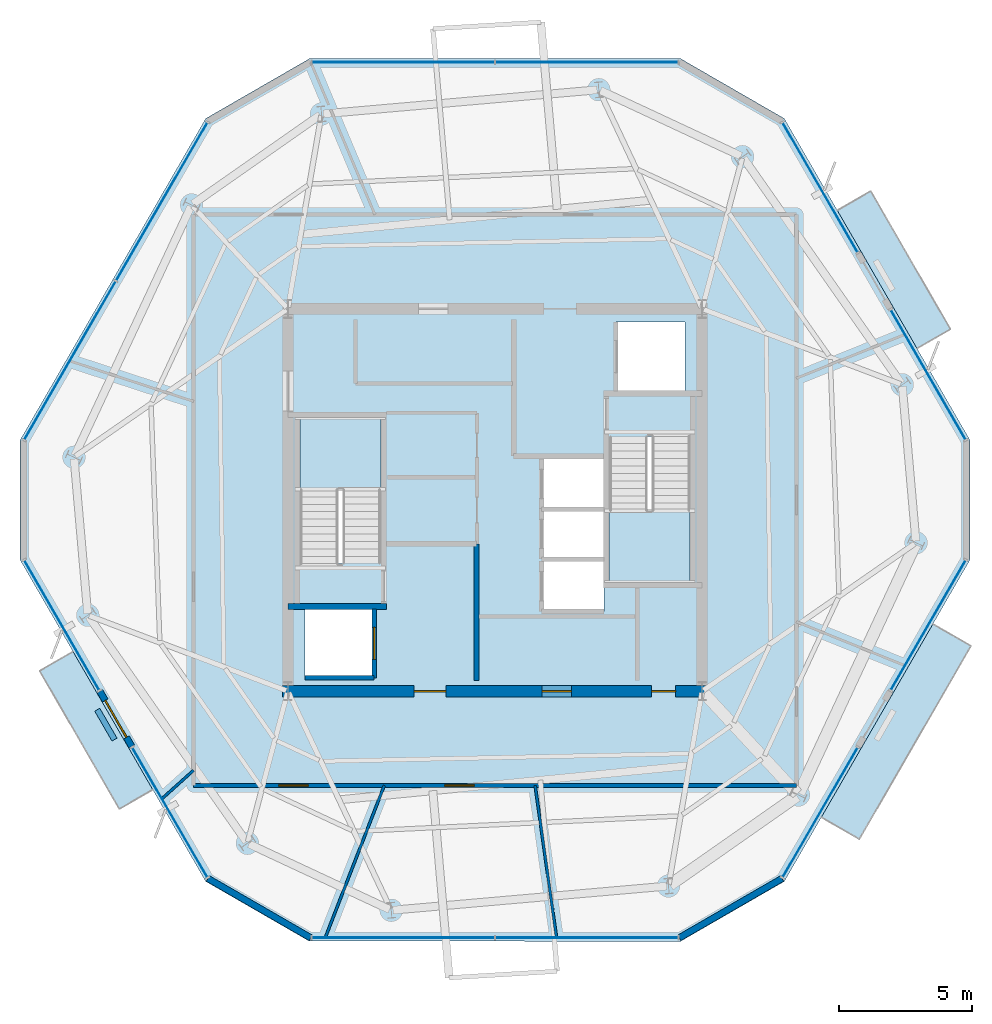
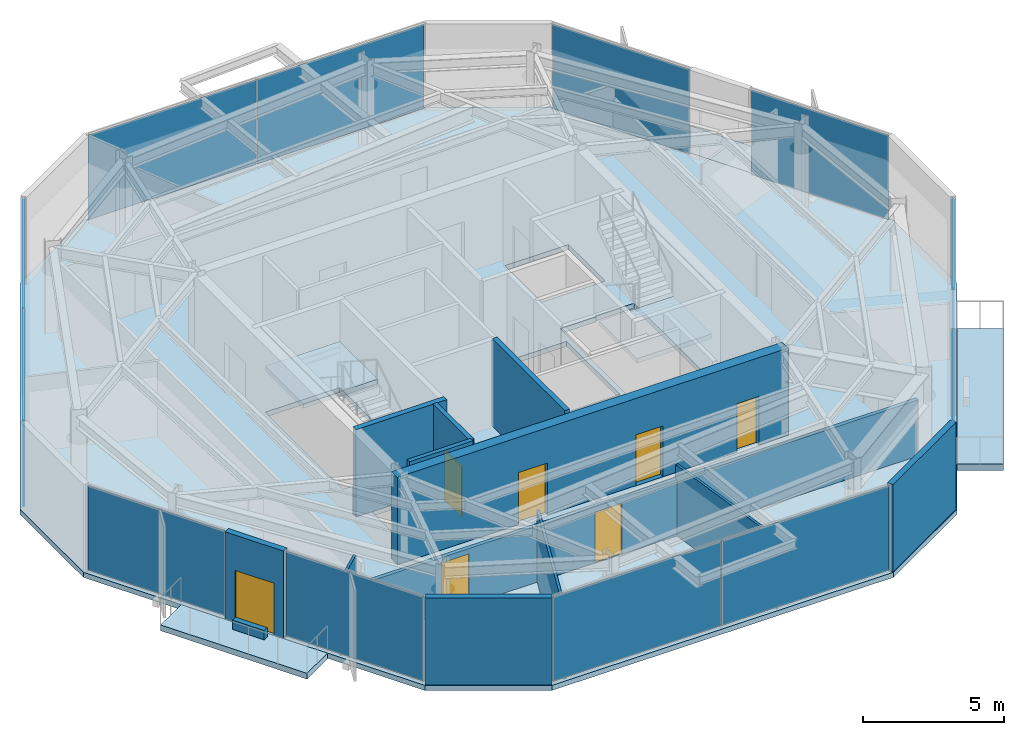
# One storey, part 5 of 11: 13 walls, 12 plates, 7 doors, 6 slabs, 7 openings, 11 elements without a shape of their own.
"""IFC4 building model written with IfcOpenShell, lengths in metres."""

from ifc_helpers import new_model, si_unit, direction, frame, frame_2d, origin, origin_2d, place, context, subcontext, project, spatial, polyline, rectangle, outline, extrude, material, layer, layer_set, type_object, element, fill, aggregate, save


model = new_model("IFC4")

# Units and contexts
model_context = context("Model", 3, precision=1e-05, world=origin(), true_north=direction((0.0, 1.0)))
body_context = subcontext(model_context, "Body", "Model", "MODEL_VIEW")
ifc_project = project(units=[si_unit("LENGTHUNIT", "METRE"), si_unit("AREAUNIT", "SQUARE_METRE"), si_unit("VOLUMEUNIT", "CUBIC_METRE"), si_unit("PLANEANGLEUNIT", "RADIAN"), si_unit("MASSUNIT", "GRAM", prefix="KILO")], contexts=[model_context])

# Site, building, storey
site_placement = place(None, origin())
site = spatial("IfcSite", under=ifc_project, at=site_placement, CompositionType="ELEMENT")
building_placement = place(site_placement, origin())
building = spatial("IfcBuilding", under=site, at=building_placement, Name="Kranzbogen Civic Tower", CompositionType="ELEMENT")
storey_placement = place(building_placement, frame((0.0, 0.0, 266.199951171875)))
storey = spatial("IfcBuildingStorey", under=building, at=storey_placement, Name="L64", CompositionType="ELEMENT", Elevation=266.199951171875)

# Slab
ifc_material_1 = material(Name="Concrete C40/50", Category="concrete")
ifc_layer_1 = layer(ifc_material_1, 0.219970703125, Name="Concrete C40/50")
ifc_layer_set_1 = layer_set([ifc_layer_1], Name="Concrete C40/50")
slab_type_1 = type_object("IfcSlabType", Name="Composite Upper Tower Floor Slab 220 mm", PredefinedType="FLOOR", material=ifc_layer_set_1)
slab_1_placement = place(storey_placement, frame((0.0, 0.0, -0.219970703125)))
element("IfcSlab", 1, at=slab_1_placement, inside=storey, type_object=slab_type_1, Name="L64 tower floor slab", PredefinedType="FLOOR", context=body_context, shape_type="SweptSolid", body=[
    extrude(outline(polyline([(31.9951171875, 41.616943359375), (18.0048828125, 41.616943359375), (14.10693359375, 39.366943359375), (7.112060546875, 27.25), (7.112060546875, 22.75), (14.10693359375, 10.633056640625), (18.0048828125, 8.384033203125), (31.9951171875, 8.383056640625), (35.89306640625, 10.633056640625), (42.887939453125, 22.75), (42.887939453125, 27.25), (35.89306640625, 39.366943359375), (31.9951171875, 41.616943359375)]), holes=[polyline([(17.85009765625, 20.89990234375), (20.449951171875, 20.89990234375), (20.449951171875, 18.300048828125), (17.85009765625, 18.300048828125), (17.85009765625, 20.89990234375)]), polyline([(29.10009765625, 22.699951171875), (29.10009765625, 20.800048828125), (26.75, 20.800048828125), (26.75, 22.699951171875), (29.10009765625, 22.699951171875)]), polyline([(29.10009765625, 24.64990234375), (29.10009765625, 22.77490234375), (26.75, 22.77490234375), (26.75, 24.64990234375), (26.75, 24.675048828125), (26.75, 26.550048828125), (29.10009765625, 26.550048828125), (29.10009765625, 24.675048828125), (29.10009765625, 24.64990234375)]), polyline([(29.300048828125, 27.340087890625), (30.75, 27.340087890625), (30.75, 27.39990234375), (32.35009765625, 27.39990234375), (32.35009765625, 21.89990234375), (29.300048828125, 21.89990234375), (29.300048828125, 27.340087890625)]), polyline([(20.699951171875, 22.659912109375), (19.25, 22.659912109375), (19.25, 22.60009765625), (17.64990234375, 22.60009765625), (17.64990234375, 28.10009765625), (20.699951171875, 28.10009765625), (20.699951171875, 22.659912109375)]), polyline([(32.14990234375, 31.699951171875), (32.14990234375, 29.10009765625), (29.550048828125, 29.10009765625), (29.550048828125, 31.699951171875), (32.14990234375, 31.699951171875)])]), origin(), (0.0, 0.0, 1.0), 0.219970703125),
])

# Curtain wall, plates
ifc_material_2 = material(Name="Pale Anodised Aluminium", Category="aluminium")
ifc_layer_2 = layer(ifc_material_2, 0.219970703125, Name="Pale Anodised Aluminium")
ifc_layer_set_2 = layer_set([ifc_layer_2], Name="Pale Anodised Aluminium")
curtain_wall_type = type_object("IfcCurtainWallType", Name="Zone 4 Stick Curtain Wall System CW-05", PredefinedType="USERDEFINED", material=ifc_layer_set_2)
curtain_wall_1_placement = place(storey_placement, origin())
curtain_wall_1 = element("IfcCurtainWall", 2, at=curtain_wall_1_placement, inside=storey, type_object=curtain_wall_type, Name="L64 curtain wall CW-L64-F1", ObjectType="STICK CURTAIN WALL", PredefinedType="USERDEFINED")
ifc_material_3 = material(Name="Low-E Triple Glazing Glass", Category="glass")
ifc_layer_3 = layer(ifc_material_3, 0.028076171875, Name="Low-E Triple Glazing Glass")
ifc_layer_set_3 = layer_set([ifc_layer_3], Name="Low-E Triple Glazing Glass")
plate_type = type_object("IfcPlateType", Name="Insulated Low-E Glazing Panel 28 mm", PredefinedType="CURTAIN_PANEL", material=ifc_layer_set_3)
plate_1_placement = place(storey_placement, frame((28.45556640625, 41.488037109375, 0.06005859375), z_axis=(0.0, 0.0, 1.0), x_axis=(-1.0, 0.0, 0.0)))
plate_1 = element("IfcPlate", 3, at=plate_1_placement, type_object=plate_type, Name="CW-05 panel 1.1", PredefinedType="CURTAIN_PANEL", context=body_context, shape_type="SweptSolid", body=[
    extrude(rectangle(XDim=6.85107421875, YDim=0.028076171875, at=origin_2d()), origin(), (0.0, 0.0, 1.0), 3.659912109375),
])
plate_2_placement = place(storey_placement, frame((21.54443359375, 41.488037109375, 0.06005859375), z_axis=(0.0, 0.0, 1.0), x_axis=(-1.0, 0.0, 0.0)))
plate_2 = element("IfcPlate", 4, at=plate_2_placement, type_object=plate_type, Name="CW-05 panel 2.1", PredefinedType="CURTAIN_PANEL", context=body_context, shape_type="SweptSolid", body=[
    extrude(rectangle(XDim=6.85107421875, YDim=0.028076171875, at=origin_2d()), origin(), (0.0, 0.0, 1.0), 3.659912109375),
])
aggregate(curtain_wall_1, [plate_1, plate_2])

curtain_wall_2_placement = place(storey_placement, origin())
curtain_wall_2 = element("IfcCurtainWall", 5, at=curtain_wall_2_placement, inside=storey, type_object=curtain_wall_type, Name="L64 curtain wall CW-L64-F2", ObjectType="STICK CURTAIN WALL", PredefinedType="USERDEFINED")
plate_3_placement = place(storey_placement, frame((12.44921875, 36.236572265625, 0.06005859375), z_axis=(0.0, 0.0, 1.0), x_axis=(-0.500005136036, -0.866022438472, 0.0)))
plate_3 = element("IfcPlate", 6, at=plate_3_placement, type_object=plate_type, Name="CW-05 panel 1.1", PredefinedType="CURTAIN_PANEL", context=body_context, shape_type="SweptSolid", body=[
    extrude(rectangle(XDim=6.850830078125, YDim=0.028076171875, at=origin_2d()), origin(), (0.0, 0.0, 1.0), 3.659912109375),
])
plate_4_placement = place(storey_placement, frame((8.99365234375, 30.25146484375, 0.06005859375), z_axis=(0.0, 0.0, 1.0), x_axis=(-0.500005136036, -0.866022438472, 0.0)))
plate_4 = element("IfcPlate", 7, at=plate_4_placement, type_object=plate_type, Name="CW-05 panel 2.1", PredefinedType="CURTAIN_PANEL", context=body_context, shape_type="SweptSolid", body=[
    extrude(rectangle(XDim=6.850830078125, YDim=0.028076171875, at=origin_2d()), origin(), (0.0, 0.0, 1.0), 3.659912109375),
])
aggregate(curtain_wall_2, [plate_3, plate_4])

# Curtain wall, plate
curtain_wall_3_placement = place(storey_placement, origin())
curtain_wall_3 = element("IfcCurtainWall", 8, at=curtain_wall_3_placement, inside=storey, type_object=curtain_wall_type, Name="L64 curtain wall CW-L64-F3-S1", ObjectType="STICK CURTAIN WALL", PredefinedType="USERDEFINED")
plate_5_placement = place(storey_placement, frame((8.68603515625, 20.281494140625, 0.06005859375), z_axis=(0.0, 0.0, 1.0), x_axis=(0.49999893013, -0.866026021473, 0.0)))
plate_5 = element("IfcPlate", 9, at=plate_5_placement, type_object=plate_type, Name="CW-05 panel 1.1", PredefinedType="CURTAIN_PANEL", context=body_context, shape_type="SweptSolid", body=[
    extrude(rectangle(XDim=5.6201171875, YDim=0.028076171875, at=origin_2d()), origin(), (0.0, 0.0, 1.0), 3.659912109375),
])
aggregate(curtain_wall_3, [plate_5])

curtain_wall_4_placement = place(storey_placement, origin())
curtain_wall_4 = element("IfcCurtainWall", 10, at=curtain_wall_4_placement, inside=storey, type_object=curtain_wall_type, Name="L64 curtain wall CW-L64-F3-S2", ObjectType="STICK CURTAIN WALL", PredefinedType="USERDEFINED")
plate_6_placement = place(storey_placement, frame((12.756591796875, 13.23095703125, 0.06005859375), z_axis=(0.0, 0.0, 1.0), x_axis=(0.500054140405, -0.865994143551, 0.0)))
plate_6 = element("IfcPlate", 11, at=plate_6_placement, type_object=plate_type, Name="CW-05 panel 1.1", PredefinedType="CURTAIN_PANEL", context=body_context, shape_type="SweptSolid", body=[
    extrude(rectangle(XDim=5.621337890625, YDim=0.028076171875, at=origin_2d()), origin(), (0.0, 0.0, 1.0), 3.659912109375),
])
aggregate(curtain_wall_4, [plate_6])

# Curtain wall, plates
curtain_wall_5_placement = place(storey_placement, origin())
curtain_wall_5 = element("IfcCurtainWall", 12, at=curtain_wall_5_placement, inside=storey, type_object=curtain_wall_type, Name="L64 curtain wall CW-L64-F4", ObjectType="STICK CURTAIN WALL", PredefinedType="USERDEFINED")
plate_7_placement = place(storey_placement, frame((21.54443359375, 8.5126953125, 0.06005859375), z_axis=(0.0, 0.0, 1.0), x_axis=(0.999999997405, -7.2035725e-05, 0.0)))
plate_7 = element("IfcPlate", 13, at=plate_7_placement, type_object=plate_type, Name="CW-05 panel 1.1", PredefinedType="CURTAIN_PANEL", context=body_context, shape_type="SweptSolid", body=[
    extrude(rectangle(XDim=6.85107421875, YDim=0.028076171875, at=origin_2d()), origin(), (0.0, 0.0, 1.0), 3.659912109375),
])
plate_8_placement = place(storey_placement, frame((28.45556640625, 8.51220703125, 0.06005859375), z_axis=(0.0, 0.0, 1.0), x_axis=(0.999999997405, -7.2035725e-05, 0.0)))
plate_8 = element("IfcPlate", 14, at=plate_8_placement, type_object=plate_type, Name="CW-05 panel 2.1", PredefinedType="CURTAIN_PANEL", context=body_context, shape_type="SweptSolid", body=[
    extrude(rectangle(XDim=6.85107421875, YDim=0.028076171875, at=origin_2d()), origin(), (0.0, 0.0, 1.0), 3.659912109375),
])
aggregate(curtain_wall_5, [plate_7, plate_8])

# Curtain wall, plate
curtain_wall_6_placement = place(storey_placement, origin())
curtain_wall_6 = element("IfcCurtainWall", 15, at=curtain_wall_6_placement, inside=storey, type_object=curtain_wall_type, Name="L64 curtain wall CW-L64-F5-S1", ObjectType="STICK CURTAIN WALL", PredefinedType="USERDEFINED")
plate_9_placement = place(storey_placement, frame((37.243408203125, 13.23095703125, 0.06005859375), z_axis=(0.0, 0.0, 1.0), x_axis=(0.500054140405, 0.865994143551, 0.0)))
plate_9 = element("IfcPlate", 16, at=plate_9_placement, type_object=plate_type, Name="CW-05 panel 1.1", PredefinedType="CURTAIN_PANEL", context=body_context, shape_type="SweptSolid", body=[
    extrude(rectangle(XDim=5.621337890625, YDim=0.028076171875, at=origin_2d()), origin(), (0.0, 0.0, 1.0), 3.659912109375),
])
aggregate(curtain_wall_6, [plate_9])

curtain_wall_7_placement = place(storey_placement, origin())
curtain_wall_7 = element("IfcCurtainWall", 17, at=curtain_wall_7_placement, inside=storey, type_object=curtain_wall_type, Name="L64 curtain wall CW-L64-F5-S2", ObjectType="STICK CURTAIN WALL", PredefinedType="USERDEFINED")
plate_10_placement = place(storey_placement, frame((41.31396484375, 20.281494140625, 0.06005859375), z_axis=(0.0, 0.0, 1.0), x_axis=(0.49999893013, 0.866026021473, 0.0)))
plate_10 = element("IfcPlate", 18, at=plate_10_placement, type_object=plate_type, Name="CW-05 panel 1.1", PredefinedType="CURTAIN_PANEL", context=body_context, shape_type="SweptSolid", body=[
    extrude(rectangle(XDim=5.6201171875, YDim=0.028076171875, at=origin_2d()), origin(), (0.0, 0.0, 1.0), 3.659912109375),
])
aggregate(curtain_wall_7, [plate_10])

curtain_wall_8_placement = place(storey_placement, origin())
curtain_wall_8 = element("IfcCurtainWall", 19, at=curtain_wall_8_placement, inside=storey, type_object=curtain_wall_type, Name="L64 curtain wall CW-L64-F6-S1", ObjectType="STICK CURTAIN WALL", PredefinedType="USERDEFINED")
plate_11_placement = place(storey_placement, frame((41.31396484375, 29.718505859375, 0.06005859375), z_axis=(0.0, 0.0, 1.0), x_axis=(-0.49999893013, 0.866026021473, 0.0)))
plate_11 = element("IfcPlate", 20, at=plate_11_placement, type_object=plate_type, Name="CW-05 panel 1.1", PredefinedType="CURTAIN_PANEL", context=body_context, shape_type="SweptSolid", body=[
    extrude(rectangle(XDim=5.6201171875, YDim=0.028076171875, at=origin_2d()), origin(), (0.0, 0.0, 1.0), 3.659912109375),
])
aggregate(curtain_wall_8, [plate_11])

curtain_wall_9_placement = place(storey_placement, origin())
curtain_wall_9 = element("IfcCurtainWall", 21, at=curtain_wall_9_placement, inside=storey, type_object=curtain_wall_type, Name="L64 curtain wall CW-L64-F6-S2", ObjectType="STICK CURTAIN WALL", PredefinedType="USERDEFINED")
plate_12_placement = place(storey_placement, frame((37.243408203125, 36.76904296875, 0.06005859375), z_axis=(0.0, 0.0, 1.0), x_axis=(-0.500054140405, 0.865994143551, 0.0)))
plate_12 = element("IfcPlate", 22, at=plate_12_placement, type_object=plate_type, Name="CW-05 panel 1.1", PredefinedType="CURTAIN_PANEL", context=body_context, shape_type="SweptSolid", body=[
    extrude(rectangle(XDim=5.621337890625, YDim=0.028076171875, at=origin_2d()), origin(), (0.0, 0.0, 1.0), 3.659912109375),
])
aggregate(curtain_wall_9, [plate_12])

# Stair, slab
ifc_material_4 = material(Name="Precast concrete C40/50", Category="concrete")
stair_type_1 = type_object("IfcStairType", Name="Tower Core Pressurized Dogleg Stair 1450", PredefinedType="HALF_TURN_STAIR", material=ifc_material_4)
stair_1_placement = place(storey_placement, origin())
stair_1 = element("IfcStair", 23, at=stair_1_placement, inside=storey, type_object=stair_type_1, Name="L64 Tower Core Pressurized Stair 1", PredefinedType="HALF_TURN_STAIR")
ifc_layer_4 = layer(ifc_material_4, 0.199951171875, Name="Precast concrete C40/50")
ifc_layer_set_4 = layer_set([ifc_layer_4], Name="Precast concrete C40/50")
slab_type_2 = type_object("IfcSlabType", Name="Precast Concrete Stair Landing Slab 200 mm", PredefinedType="LANDING", material=ifc_layer_set_4)
slab_2_placement = place(storey_placement, frame((0.0, 0.0, 1.800048828125)))
slab_2 = element("IfcSlab", 24, at=slab_2_placement, type_object=slab_type_2, Name="ST-T1 landing 1", PredefinedType="LANDING", context=body_context, shape_type="SweptSolid", body=[
    extrude(outline(polyline([(20.699951171875, 25.39990234375), (20.699951171875, 28.10009765625), (17.64990234375, 28.10009765625), (17.64990234375, 25.39990234375), (20.699951171875, 25.39990234375)])), origin(), (0.0, 0.0, 1.0), 0.199951171875),
])
aggregate(stair_1, [slab_2])

stair_type_2 = type_object("IfcStairType", Name="Tower Core Secondary Dogleg Stair 1450", PredefinedType="HALF_TURN_STAIR", material=ifc_material_4)
stair_2_placement = place(storey_placement, origin())
stair_2 = element("IfcStair", 25, at=stair_2_placement, inside=storey, type_object=stair_type_2, Name="L64 Tower Core Pressurized Stair 2", PredefinedType="HALF_TURN_STAIR")
slab_3_placement = place(storey_placement, frame((0.0, 0.0, 1.800048828125)))
slab_3 = element("IfcSlab", 26, at=slab_3_placement, type_object=slab_type_2, Name="ST-T2 landing 1", PredefinedType="LANDING", context=body_context, shape_type="SweptSolid", body=[
    extrude(outline(polyline([(29.300048828125, 24.60009765625), (29.300048828125, 21.89990234375), (32.35009765625, 21.89990234375), (32.35009765625, 24.60009765625), (29.300048828125, 24.60009765625)])), origin(), (0.0, 0.0, 1.0), 0.199951171875),
])
aggregate(stair_2, [slab_3])

# Slabs
ifc_layer_5 = layer(ifc_material_1, 0.280029296875, Name="Concrete C40/50")
ifc_layer_set_5 = layer_set([ifc_layer_5], Name="Concrete C40/50")
slab_type_3 = type_object("IfcSlabType", Name="Spiral Terrace Cantilevered Slab 280 mm", PredefinedType="FLOOR", material=ifc_layer_set_5)
slab_4_placement = place(storey_placement, frame((0.0, 0.0, -0.280029296875)))
element("IfcSlab", 27, at=slab_4_placement, inside=storey, type_object=slab_type_3, Name="L64 cantilevered spiral terrace L64-ST", PredefinedType="FLOOR", context=body_context, shape_type="SweptSolid", body=[
    extrude(outline(polyline([(37.2900390625, 13.053955078125), (41.489990234375, 20.3291015625), (42.9189453125, 19.50390625), (38.718994140625, 12.22900390625), (37.2900390625, 13.053955078125)])), origin(), (0.0, 0.0, 1.0), 0.280029296875),
])
ifc_layer_6 = layer(ifc_material_1, 0.25, Name="Concrete C40/50")
ifc_layer_set_6 = layer_set([ifc_layer_6], Name="Concrete C40/50")
slab_type_4 = type_object("IfcSlabType", Name="Tree Balcony Cantilevered Slab 250 mm", PredefinedType="FLOOR", material=ifc_layer_set_6)
slab_5_placement = place(storey_placement, frame((0.0, 0.0, -0.25)))
element("IfcSlab", 28, at=slab_5_placement, inside=storey, type_object=slab_type_4, Name="L64 cantilevered tree balcony L64-TB1", PredefinedType="FLOOR", context=body_context, shape_type="SweptSolid", body=[
    extrude(outline(polyline([(9.110107421875, 19.2900390625), (12.110107421875, 14.093994140625), (10.85400390625, 13.368896484375), (7.85400390625, 18.56494140625), (9.110107421875, 19.2900390625)])), origin(), (0.0, 0.0, 1.0), 0.25),
])
slab_6_placement = place(storey_placement, frame((0.0, 0.0, -0.25)))
element("IfcSlab", 29, at=slab_6_placement, inside=storey, type_object=slab_type_4, Name="L64 cantilevered tree balcony L64-TB2", PredefinedType="FLOOR", context=body_context, shape_type="SweptSolid", body=[
    extrude(outline(polyline([(40.889892578125, 30.7099609375), (37.889892578125, 35.906005859375), (39.14599609375, 36.631103515625), (42.14599609375, 31.43505859375), (40.889892578125, 30.7099609375)])), origin(), (0.0, 0.0, 1.0), 0.25),
])

# Wall, openings, doors
ifc_material_5 = material(Name="Double-Stud Acoustic Gypsum Partition")
ifc_layer_7 = layer(ifc_material_5, 0.14990234375, Name="Double-Stud Acoustic Gypsum Partition")
ifc_layer_set_7 = layer_set([ifc_layer_7], Name="Double-Stud Acoustic Gypsum Partition")
wall_type_1 = type_object("IfcWallType", Name="Acoustic Corridor and Clinical Partition 150 mm", PredefinedType="PARTITIONING", material=ifc_layer_set_7)
wall_1_placement = place(storey_placement, frame((36.35009765625, 14.25, 0.0), z_axis=(0.0, 0.0, 1.0), x_axis=(-1.0, 0.0, 0.0)))
wall_1 = element("IfcWall", 30, at=wall_1_placement, inside=storey, type_object=wall_type_1, Name="L64 corridor partition 03", PredefinedType="PARTITIONING", context=body_context, shape_type="SweptSolid", body=[
    extrude(rectangle(XDim=22.7001953125, YDim=0.14990234375, at=frame_2d((11.35009765625, 0.0))), origin(), (0.0, 0.0, 1.0), 2.429931640625),
])
opening_1_placement = place(wall_1_placement, frame((12.135986328125, 0.0, 0.0)))
opening_1 = element("IfcOpeningElement", 31, at=opening_1_placement, cuts=wall_1, Name="Opening D-COR60", PredefinedType="OPENING", context=body_context, shape_type="SweptSolid", body=[
    extrude(rectangle(XDim=1.10009765625, YDim=2.199951171875, at=frame_2d((0.550048828125, 1.10009765625))), frame((0.0, 0.0849609375, 0.0), z_axis=(0.0, -1.0, 0.0), x_axis=(1.0, 0.0, 0.0)), (0.0, 0.0, 1.0), 0.169921875),
])
opening_2_placement = place(wall_1_placement, frame((18.39111328125, 0.0, 0.0)))
opening_2 = element("IfcOpeningElement", 32, at=opening_2_placement, cuts=wall_1, Name="Opening D-COR60", PredefinedType="OPENING", context=body_context, shape_type="SweptSolid", body=[
    extrude(rectangle(XDim=1.10009765625, YDim=2.199951171875, at=frame_2d((0.550048828125, 1.10009765625))), frame((0.0, 0.0849609375, 0.0), z_axis=(0.0, -1.0, 0.0), x_axis=(1.0, 0.0, 0.0)), (0.0, 0.0, 1.0), 0.169921875),
])
ifc_material_6 = material(Name="Oak Timber and Fire Core", Category="wood")
door_type_1 = type_object("IfcDoorType", Name="Corridor Acoustic Fire Door 1100x2200", OperationType="NOTDEFINED", PredefinedType="DOOR", material=ifc_material_6)
door_1_placement = place(opening_1_placement, origin())
door_1 = element("IfcDoor", 33, at=door_1_placement, inside=storey, type_object=door_type_1, Name="L64 Central Mail Post Room door", OperationType="SINGLE_SWING_LEFT", OverallHeight=2.199951171875, OverallWidth=1.10009765625, PredefinedType="DOOR", context=body_context, shape_type="SweptSolid", body=[
    extrude(rectangle(XDim=1.10009765625, YDim=2.199951171875, at=frame_2d((0.550048828125, 1.10009765625))), frame((0.0, 0.02490234375, 0.0), z_axis=(0.0, -1.0, 0.0), x_axis=(1.0, 0.0, 0.0)), (0.0, 0.0, 1.0), 0.050048828125),
])
fill(opening_1, door_1)
door_2_placement = place(opening_2_placement, origin())
door_2 = element("IfcDoor", 34, at=door_2_placement, inside=storey, type_object=door_type_1, Name="L64 Duty Crew Control Room door", OperationType="SINGLE_SWING_RIGHT", OverallHeight=2.199951171875, OverallWidth=1.10009765625, PredefinedType="DOOR", context=body_context, shape_type="SweptSolid", body=[
    extrude(rectangle(XDim=1.10009765625, YDim=2.199951171875, at=frame_2d((0.550048828125, 1.10009765625))), frame((0.0, 0.02490234375, 0.0), z_axis=(0.0, -1.0, 0.0), x_axis=(1.0, 0.0, 0.0)), (0.0, 0.0, 1.0), 0.050048828125),
])
fill(opening_2, door_2)

# Wall
ifc_material_7 = material(Name="Architectural Precast Terracotta Concrete C40/50", Category="masonry")
ifc_layer_8 = layer(ifc_material_7, 0.219970703125, Name="Architectural Precast Terracotta Concrete C40/50")
ifc_layer_set_8 = layer_set([ifc_layer_8], Name="Architectural Precast Terracotta Concrete C40/50")
wall_type_2 = type_object("IfcWallType", Name="Architectural Tree Planter Kerb Wall 220 mm", PredefinedType="USERDEFINED", material=ifc_layer_set_8)
wall_2_placement = place(storey_placement, frame((10.02099609375, 17.10302734375, 0.0), z_axis=(0.0, 0.0, 1.0), x_axis=(0.49989585183, -0.866085525409, 0.0)))
element("IfcWall", 35, at=wall_2_placement, inside=storey, type_object=wall_type_2, Name="L64 landscaped tree balcony planter L64-TB1", ObjectType="PLANTER_WALL", PredefinedType="USERDEFINED", context=body_context, shape_type="SweptSolid", body=[
    extrude(rectangle(XDim=1.300048828125, YDim=0.219970703125, at=frame_2d((0.64990234375, 0.0))), origin(), (0.0, 0.0, 1.0), 0.400146484375),
])

# Wall, openings, doors
ifc_material_8 = material(Name="Concrete C45/55", Category="concrete")
ifc_layer_9 = layer(ifc_material_8, 0.419921875, Name="Concrete C45/55")
ifc_layer_set_9 = layer_set([ifc_layer_9], Name="Concrete C45/55")
wall_type_3 = type_object("IfcWallType", Name="Central Core Shear Wall 420 mm", PredefinedType="SHEAR", material=ifc_layer_set_9)
wall_3_placement = place(storey_placement, frame((16.989990234375, 17.800048828125, 0.0), z_axis=(0.0, 0.0, 1.0), x_axis=(1.0, 0.0, 0.0)))
wall_3 = element("IfcWall", 36, at=wall_3_placement, inside=storey, type_object=wall_type_3, Name="L64 central core South shear wall", PredefinedType="SHEAR", context=body_context, shape_type="SweptSolid", body=[
    extrude(rectangle(XDim=16.02001953125, YDim=0.419921875, at=frame_2d((8.010009765625, 0.0))), origin(), (0.0, 0.0, 1.0), 3.780029296875),
])
opening_3_placement = place(wall_3_placement, frame((4.9599609375, 0.0, 0.0)))
opening_3 = element("IfcOpeningElement", 37, at=opening_3_placement, cuts=wall_3, Name="Opening D-EX120", PredefinedType="OPENING", context=body_context, shape_type="SweptSolid", body=[
    extrude(rectangle(XDim=1.199951171875, YDim=2.25, at=frame_2d((0.60009765625, 1.125))), frame((0.0, 0.219970703125, 0.0), z_axis=(0.0, -1.0, 0.0), x_axis=(1.0, 0.0, 0.0)), (0.0, 0.0, 1.0), 0.43994140625),
])
opening_4_placement = place(wall_3_placement, frame((13.909912109375, 0.0, 0.0)))
opening_4 = element("IfcOpeningElement", 38, at=opening_4_placement, cuts=wall_3, Name="Opening D-WC90", PredefinedType="OPENING", context=body_context, shape_type="SweptSolid", body=[
    extrude(rectangle(XDim=0.89990234375, YDim=2.10009765625, at=frame_2d((0.449951171875, 1.050048828125))), frame((0.0, 0.219970703125, 0.0), z_axis=(0.0, -1.0, 0.0), x_axis=(1.0, 0.0, 0.0)), (0.0, 0.0, 1.0), 0.43994140625),
])
opening_5_placement = place(wall_3_placement, frame((9.784912109375, 0.0, 0.0)))
opening_5 = element("IfcOpeningElement", 39, at=opening_5_placement, cuts=wall_3, Name="Opening D-COR60", PredefinedType="OPENING", context=body_context, shape_type="SweptSolid", body=[
    extrude(rectangle(XDim=1.10009765625, YDim=2.199951171875, at=frame_2d((0.550048828125, 1.10009765625))), frame((0.0, 0.219970703125, 0.0), z_axis=(0.0, -1.0, 0.0), x_axis=(1.0, 0.0, 0.0)), (0.0, 0.0, 1.0), 0.43994140625),
])
door_3_placement = place(opening_5_placement, origin())
door_3 = element("IfcDoor", 40, at=door_3_placement, inside=storey, type_object=door_type_1, Name="L64 REC1 archive room door", OperationType="SINGLE_SWING_RIGHT", OverallHeight=2.199951171875, OverallWidth=1.10009765625, PredefinedType="DOOR", context=body_context, shape_type="SweptSolid", body=[
    extrude(rectangle(XDim=1.10009765625, YDim=2.199951171875, at=frame_2d((0.550048828125, 1.10009765625))), frame((0.0, 0.02490234375, 0.0), z_axis=(0.0, -1.0, 0.0), x_axis=(1.0, 0.0, 0.0)), (0.0, 0.0, 1.0), 0.050048828125),
])
fill(opening_5, door_3)
ifc_material_9 = material(Name="Steel S355", Category="steel")
door_type_2 = type_object("IfcDoorType", Name="Exit Passageway Fire Door 1200x2250", OperationType="NOTDEFINED", PredefinedType="DOOR", material=ifc_material_9)
door_4_placement = place(opening_3_placement, origin())
door_4 = element("IfcDoor", 41, at=door_4_placement, inside=storey, type_object=door_type_2, Name="L64 West firefighting lobby corridor door", OperationType="SINGLE_SWING_LEFT", OverallHeight=2.25, OverallWidth=1.199951171875, PredefinedType="DOOR", context=body_context, shape_type="SweptSolid", body=[
    extrude(rectangle(XDim=1.199951171875, YDim=2.25, at=frame_2d((0.60009765625, 1.125))), frame((0.0, 0.02490234375, 0.0), z_axis=(0.0, -1.0, 0.0), x_axis=(1.0, 0.0, 0.0)), (0.0, 0.0, 1.0), 0.050048828125),
])
fill(opening_3, door_4)
ifc_material_10 = material(Name="Moisture-Resistant Laminate")
door_type_3 = type_object("IfcDoorType", Name="Standard Restroom and Store Door 900x2100", OperationType="NOTDEFINED", PredefinedType="DOOR", material=ifc_material_10)
door_5_placement = place(opening_4_placement, origin())
door_5 = element("IfcDoor", 42, at=door_5_placement, inside=storey, type_object=door_type_3, Name="L64 East electrical riser access door", OperationType="SINGLE_SWING_LEFT", OverallHeight=2.10009765625, OverallWidth=0.89990234375, PredefinedType="DOOR", context=body_context, shape_type="SweptSolid", body=[
    extrude(rectangle(XDim=0.89990234375, YDim=2.10009765625, at=frame_2d((0.449951171875, 1.050048828125))), frame((0.0, 0.02490234375, 0.0), z_axis=(0.0, -1.0, 0.0), x_axis=(1.0, 0.0, 0.0)), (0.0, 0.0, 1.0), 0.050048828125),
])
fill(opening_4, door_5)

# Walls
ifc_layer_10 = layer(ifc_material_8, 0.219970703125, Name="Concrete C45/55")
ifc_layer_set_10 = layer_set([ifc_layer_10], Name="Concrete C45/55")
wall_type_4 = type_object("IfcWallType", Name="Core Internal Stair Structural Wall 220 mm", PredefinedType="SOLIDWALL", material=ifc_layer_set_10)
wall_4_placement = place(storey_placement, frame((17.199951171875, 20.989990234375, 0.0), z_axis=(0.0, 0.0, 1.0), x_axis=(1.0, 0.0, 0.0)))
element("IfcWall", 43, at=wall_4_placement, inside=storey, type_object=wall_type_4, Name="L64 ST-T1 South structural stair wall", PredefinedType="SOLIDWALL", context=body_context, shape_type="SweptSolid", body=[
    extrude(rectangle(XDim=3.719970703125, YDim=0.219970703125, at=frame_2d((1.85986328125, 0.0))), origin(), (0.0, 0.0, 1.0), 3.780029296875),
])
ifc_material_11 = material(Name="Demountable Aluminium and Gypsum Partition", Category="aluminium")
ifc_layer_11 = layer(ifc_material_11, 0.10009765625, Name="Demountable Aluminium and Gypsum Partition")
ifc_layer_set_11 = layer_set([ifc_layer_11], Name="Demountable Aluminium and Gypsum Partition")
wall_type_5 = type_object("IfcWallType", Name="Demountable Office Partition 100 mm", PredefinedType="MOVABLE", material=ifc_layer_set_11)
wall_5_placement = place(storey_placement, frame((13.64990234375, 14.821044921875, 0.0), z_axis=(0.0, 0.0, 1.0), x_axis=(-0.744157958849, -0.668003691818, 0.0)))
element("IfcWall", 44, at=wall_5_placement, inside=storey, type_object=wall_type_5, Name="L64 radial room partition 03", PredefinedType="MOVABLE", context=body_context, shape_type="SweptSolid", body=[
    extrude(rectangle(XDim=1.5869140625, YDim=0.10009765625, at=frame_2d((0.79345703125, 0.0))), origin(), (0.0, 0.0, 1.0), 3.280029296875),
])
wall_6_placement = place(storey_placement, frame((26.510986328125, 14.25, 0.0), z_axis=(0.0, 0.0, 1.0), x_axis=(0.139303384613, -0.990249749828, 0.0)))
element("IfcWall", 45, at=wall_6_placement, inside=storey, type_object=wall_type_5, Name="L64 radial room partition 04", PredefinedType="MOVABLE", context=body_context, shape_type="SweptSolid", body=[
    extrude(rectangle(XDim=5.7783203125, YDim=0.10009765625, at=frame_2d((2.88916015625, 0.0))), origin(), (0.0, 0.0, 1.0), 3.050048828125),
])
wall_7_placement = place(storey_placement, frame((20.8310546875, 14.25, 0.0), z_axis=(0.0, 0.0, 1.0), x_axis=(-0.361622436368, -0.932324628826, 0.0)))
element("IfcWall", 46, at=wall_7_placement, inside=storey, type_object=wall_type_5, Name="L64 radial room partition 07", PredefinedType="MOVABLE", context=body_context, shape_type="SweptSolid", body=[
    extrude(rectangle(XDim=6.13623046875, YDim=0.10009765625, at=frame_2d((3.068115234375, 0.0))), origin(), (0.0, 0.0, 1.0), 3.050048828125),
])
ifc_material_12 = material(Name="Gypsum Fireboard and Concrete Block", Category="concrete")
ifc_layer_12 = layer(ifc_material_12, 0.199951171875, Name="Gypsum Fireboard and Concrete Block")
ifc_layer_set_12 = layer_set([ifc_layer_12], Name="Gypsum Fireboard and Concrete Block")
wall_type_6 = type_object("IfcWallType", Name="Fire-Rated Exit Passageway and Stair Wall 200 mm", PredefinedType="PARTITIONING", material=ifc_layer_set_12)
wall_8_placement = place(storey_placement, frame((24.300048828125, 18.199951171875, 0.0), z_axis=(0.0, 0.0, 1.0), x_axis=(0.0, 1.0, 0.0)))
element("IfcWall", 47, at=wall_8_placement, inside=storey, type_object=wall_type_6, Name="L64 West firefighting lobby East wall", PredefinedType="PARTITIONING", context=body_context, shape_type="SweptSolid", body=[
    extrude(rectangle(XDim=5.150146484375, YDim=0.199951171875, at=frame_2d((2.5751953125, 0.0))), origin(), (0.0, 0.0, 1.0), 3.780029296875),
])

# Wall, opening, door
ifc_material_13 = material(Name="Gypsum Fireboard Shaftliner")
ifc_layer_13 = layer(ifc_material_13, 0.175048828125, Name="Gypsum Fireboard Shaftliner")
ifc_layer_set_13 = layer_set([ifc_layer_13], Name="Gypsum Fireboard Shaftliner")
wall_type_7 = type_object("IfcWallType", Name="Fire-Rated Lift and Service Shaft Wall 175 mm", PredefinedType="PARTITIONING", material=ifc_layer_set_13)
wall_9_placement = place(storey_placement, frame((20.449951171875, 18.300048828125, 0.0), z_axis=(0.0, 0.0, 1.0), x_axis=(0.0, 1.0, 0.0)))
wall_9 = element("IfcWall", 48, at=wall_9_placement, inside=storey, type_object=wall_type_7, Name="L64 lift FF-01 landing wall", PredefinedType="PARTITIONING", context=body_context, shape_type="SweptSolid", body=[
    extrude(rectangle(XDim=2.599853515625, YDim=0.175048828125, at=frame_2d((1.2998046875, 0.0))), origin(), (0.0, 0.0, 1.0), 3.780029296875),
])
opening_6_placement = place(wall_9_placement, frame((0.699951171875, 0.0, 0.0)))
opening_6 = element("IfcOpeningElement", 49, at=opening_6_placement, cuts=wall_9, Name="Opening LD-FF-01", PredefinedType="OPENING", context=body_context, shape_type="SweptSolid", body=[
    extrude(rectangle(XDim=1.199951171875, YDim=2.199951171875, at=frame_2d((0.60009765625, 1.10009765625))), frame((0.0, 0.09765625, 0.0), z_axis=(0.0, -1.0, 0.0), x_axis=(1.0, 0.0, 0.0)), (0.0, 0.0, 1.0), 0.195068359375),
])
door_type_4 = type_object("IfcDoorType", Name="Firefighting and Stretcher Lift Sliding Landing Door 1200x2200", OperationType="DOUBLE_DOOR_SLIDING", PredefinedType="DOOR", material=ifc_material_2)
door_6_placement = place(opening_6_placement, origin())
door_6 = element("IfcDoor", 50, at=door_6_placement, inside=storey, type_object=door_type_4, Name="L64 lift FF-01 sliding landing door", OperationType="DOUBLE_DOOR_SLIDING", OverallHeight=2.199951171875, OverallWidth=1.199951171875, PredefinedType="DOOR", context=body_context, shape_type="SweptSolid", body=[
    extrude(rectangle(XDim=1.199951171875, YDim=2.199951171875, at=frame_2d((0.60009765625, 1.10009765625))), frame((0.0, 0.02490234375, 0.0), z_axis=(0.0, -1.0, 0.0), x_axis=(1.0, 0.0, 0.0)), (0.0, 0.0, 1.0), 0.050048828125),
])
fill(opening_6, door_6)

# Wall
wall_10_placement = place(storey_placement, frame((17.85009765625, 18.300048828125, 0.0), z_axis=(0.0, 0.0, 1.0), x_axis=(1.0, 0.0, 0.0)))
element("IfcWall", 51, at=wall_10_placement, inside=storey, type_object=wall_type_7, Name="L64 lift FF-01 side wall", PredefinedType="PARTITIONING", context=body_context, shape_type="SweptSolid", body=[
    extrude(rectangle(XDim=2.599853515625, YDim=0.175048828125, at=frame_2d((1.2998046875, 0.0))), origin(), (0.0, 0.0, 1.0), 3.780029296875),
])

# Wall, opening, door
ifc_layer_14 = layer(ifc_material_2, 0.239990234375, Name="Pale Anodised Aluminium")
ifc_layer_set_14 = layer_set([ifc_layer_14], Name="Pale Anodised Aluminium")
wall_type_8 = type_object("IfcWallType", Name="Insulated Aluminium Facade Portal Wall 240 mm", PredefinedType="STANDARD", material=ifc_layer_set_14)
wall_11_placement = place(storey_placement, frame((10.12109375, 17.7958984375, 0.0), z_axis=(0.0, 0.0, 1.0), x_axis=(0.499913221443, -0.866075499611, 0.0)))
wall_11 = element("IfcWall", 52, at=wall_11_placement, inside=storey, type_object=wall_type_8, Name="L64 exterior entrance portal wall 1", PredefinedType="STANDARD", context=body_context, shape_type="SweptSolid", body=[
    extrude(rectangle(XDim=2.400390625, YDim=0.239990234375, at=frame_2d((1.2001953125, 0.0))), origin(), (0.0, 0.0, 1.0), 3.780029296875),
])
opening_7_placement = place(wall_11_placement, frame((0.39990234375, 0.0, 0.0)))
opening_7 = element("IfcOpeningElement", 53, at=opening_7_placement, cuts=wall_11, Name="Opening D-TER", PredefinedType="OPENING", context=body_context, shape_type="SweptSolid", body=[
    extrude(rectangle(XDim=1.60009765625, YDim=2.25, at=frame_2d((0.800048828125, 1.125))), frame((0.0, 0.1298828125, 0.0), z_axis=(0.0, -1.0, 0.0), x_axis=(1.0, 0.0, 0.0)), (0.0, 0.0, 1.0), 0.260009765625),
])
ifc_material_14 = material(Name="Anodised Bronze and Triple Glass", Category="glass")
door_type_5 = type_object("IfcDoorType", Name="Glazed Terrace and Balcony Double Door 1600x2250", OperationType="DOUBLE_DOOR_SINGLE_SWING", PredefinedType="DOOR", material=ifc_material_14)
door_7_placement = place(opening_7_placement, frame((1.60009765625, 0.0, 0.0), z_axis=(0.0, 0.0, 1.0), x_axis=(-1.0, 0.0, 0.0)))
door_7 = element("IfcDoor", 54, at=door_7_placement, inside=storey, type_object=door_type_5, Name="L64 tree balcony access door L64-TB1", OperationType="DOUBLE_DOOR_SINGLE_SWING", OverallHeight=2.25, OverallWidth=1.60009765625, PredefinedType="DOOR", context=body_context, shape_type="SweptSolid", body=[
    extrude(rectangle(XDim=1.60009765625, YDim=2.25, at=frame_2d((0.800048828125, 1.125))), frame((0.0, 0.02490234375, 0.0), z_axis=(0.0, -1.0, 0.0), x_axis=(1.0, 0.0, 0.0)), (0.0, 0.0, 1.0), 0.050048828125),
])
fill(opening_7, door_7)

# Walls
wall_12_placement = place(storey_placement, frame((14.19189453125, 10.7451171875, 0.0), z_axis=(0.0, 0.0, 1.0), x_axis=(0.866078154638, -0.499908621708, 0.0)))
element("IfcWall", 55, at=wall_12_placement, inside=storey, type_object=wall_type_8, Name="L64 chamfered corner facade spandrel 3", PredefinedType="STANDARD", context=body_context, shape_type="SweptSolid", body=[
    extrude(rectangle(XDim=4.465087890625, YDim=0.239990234375, at=frame_2d((2.232421875, 0.0))), origin(), (0.0, 0.0, 1.0), 3.780029296875),
])
wall_13_placement = place(storey_placement, frame((31.94091796875, 8.511962890625, 0.0), z_axis=(0.0, 0.0, 1.0), x_axis=(0.865983458261, 0.500072644742, 0.0)))
element("IfcWall", 56, at=wall_13_placement, inside=storey, type_object=wall_type_8, Name="L64 chamfered corner facade spandrel 4", PredefinedType="STANDARD", context=body_context, shape_type="SweptSolid", body=[
    extrude(rectangle(XDim=4.465576171875, YDim=0.239990234375, at=frame_2d((2.23291015625, 0.0))), origin(), (0.0, 0.0, 1.0), 3.780029296875),
])

save(model, "model.ifc")
